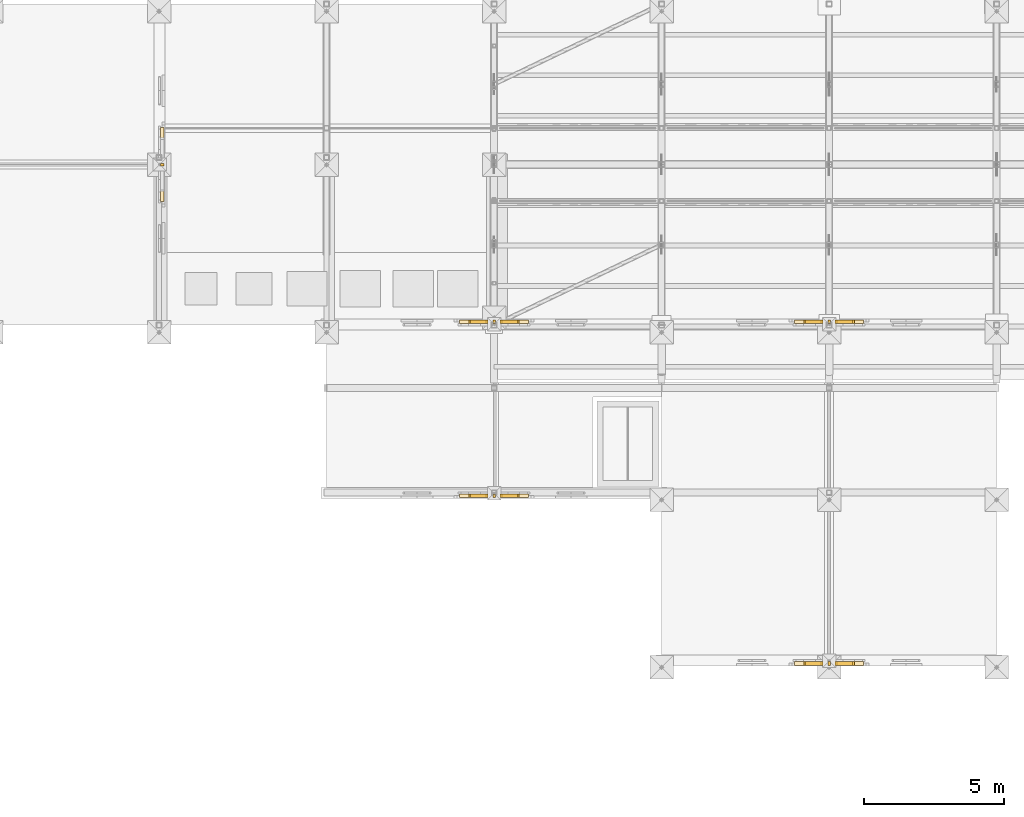
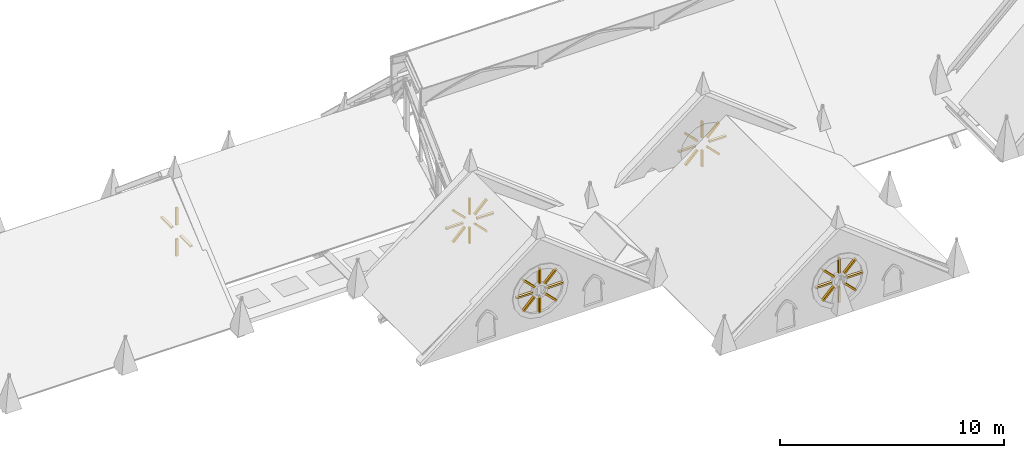
# One storey, part 33 of 33: 36 coverings.
"""IFC4 building model written with IfcOpenShell, lengths in metres."""

import ifcopenshell
import ifcopenshell.guid

model = None  # the IFC model being written
_history = None  # IfcOwnerHistory: only IFC2X3 demands one
_inside = {}  # id of a spatial element -> (the spatial element, [elements in it])
_under = {}  # id of a project, library or spatial element -> (it, [spatial elements below it])
_declared = {}  # id of a project -> (the project, [libraries it declares])
_typed = {}  # id of a type object -> (the type object, [elements of that type])
_made_of = {}  # id of a material, layer set ... -> (it, [elements and type objects made of it])


def new_model(schema):
    """Start an empty IFC model of exactly this schema.

    Asked for "IFC4X3", IfcOpenShell would pick the latest addendum, in which some entities
    have other attributes; the version numbers below select the first issue.
    IFC2X3 requires an IfcOwnerHistory on every rooted entity: one is made here for all.
    """
    global model, _history
    if schema == "IFC4X3":
        model = ifcopenshell.file(schema_version=(4, 3, 0, 0))
    else:
        model = ifcopenshell.file(schema=schema)
    _inside.clear()
    _under.clear()
    _declared.clear()
    _typed.clear()
    _made_of.clear()
    _history = None
    if model.schema == "IFC2X3":
        org = make("IfcOrganization", Name="unknown")
        user = make(
            "IfcPersonAndOrganization",
            ThePerson=make("IfcPerson", FamilyName="unknown"),
            TheOrganization=org,
        )
        app = make(
            "IfcApplication",
            ApplicationDeveloper=org,
            Version="unknown",
            ApplicationFullName="unknown",
            ApplicationIdentifier="unknown",
        )
        _history = make(
            "IfcOwnerHistory",
            OwningUser=user,
            OwningApplication=app,
            ChangeAction="ADDED",
            CreationDate=0,
        )
    return model


def make(cls, **values):
    """One entity of the class cls with the attributes given. An attribute that is None is left unset."""
    return model.create_entity(
        cls, **{name: value for name, value in values.items() if value is not None}
    )


def rooted(cls, **values):
    """An entity with a GlobalId (a new one), such as an element, a storey or a relation."""
    return make(cls, GlobalId=ifcopenshell.guid.new(), OwnerHistory=_history, **values)


def si_unit(unit_type, name, prefix=None):
    """IfcSIUnit, for example si_unit("LENGTHUNIT", "METRE", prefix="MILLI")."""
    return make("IfcSIUnit", UnitType=unit_type, Prefix=prefix, Name=name)


def assignment(units):
    """IfcUnitAssignment: the units of a project."""
    return None if units is None else make("IfcUnitAssignment", Units=units)


def point(xyz):
    """IfcCartesianPoint."""
    return None if xyz is None else make("IfcCartesianPoint", Coordinates=xyz)


def direction(xyz):
    """IfcDirection."""
    return None if xyz is None else make("IfcDirection", DirectionRatios=xyz)


def frame(location, z_axis=None, x_axis=None):
    """IfcAxis2Placement3D, a coordinate frame: its origin and axes. An axis left out is left unset."""
    return make(
        "IfcAxis2Placement3D",
        Location=point(location),
        Axis=direction(z_axis),
        RefDirection=direction(x_axis),
    )


def origin():
    """The frame at (0, 0, 0) with its axes left unset."""
    return frame((0.0, 0.0, 0.0))


def place(relative_to, where):
    """IfcLocalPlacement: puts the frame where relative to a parent placement (None: the world)."""
    return make(
        "IfcLocalPlacement", PlacementRelTo=relative_to, RelativePlacement=where
    )


def context(
    kind, dimensions, precision=None, world=None, true_north=None, identifier=None
):
    """IfcGeometricRepresentationContext, for example the 3D "Model" context."""
    return make(
        "IfcGeometricRepresentationContext",
        ContextIdentifier=identifier,
        ContextType=kind,
        CoordinateSpaceDimension=dimensions,
        Precision=precision,
        WorldCoordinateSystem=world,
        TrueNorth=true_north,
    )


def subcontext(parent, identifier, kind, view, scale=None):
    """IfcGeometricRepresentationSubContext, for example "Body" below "Model"."""
    return make(
        "IfcGeometricRepresentationSubContext",
        ContextIdentifier=identifier,
        ContextType=kind,
        ParentContext=parent,
        TargetScale=scale,
        TargetView=view,
    )


def project(units=None, contexts=None):
    """IfcProject with its units and contexts."""
    return rooted(
        "IfcProject",
        Name="project",
        RepresentationContexts=contexts,
        UnitsInContext=assignment(units),
    )


def spatial(cls, under=None, at=None, **own):
    """A site, building, storey or space (cls), placed at a placement, below another one or the project."""
    s = rooted(cls, ObjectPlacement=at, **own)
    if under is not None:
        _under.setdefault(under.id(), (under, []))[1].append(s)
    return s


def polyline(points):
    """IfcPolyline through the points."""
    return make("IfcPolyline", Points=[point(p) for p in points])


def outline(outer, holes=None, kind="AREA"):
    """IfcArbitraryClosedProfileDef: a profile drawn as a closed curve; with holes, ...WithVoids."""
    if holes is None:
        return make("IfcArbitraryClosedProfileDef", ProfileType=kind, OuterCurve=outer)
    return make(
        "IfcArbitraryProfileDefWithVoids",
        ProfileType=kind,
        OuterCurve=outer,
        InnerCurves=holes,
    )


def extrude(swept, where, along, depth):
    """IfcExtrudedAreaSolid: the profile swept, set in the frame where, extruded along a direction by depth."""
    return make(
        "IfcExtrudedAreaSolid",
        SweptArea=swept,
        Position=where,
        ExtrudedDirection=direction(along),
        Depth=depth,
    )


def shape(context_of_items, identifier, shape_type, items):
    """IfcShapeRepresentation: the items that make up one representation, for example the "Body"."""
    return make(
        "IfcShapeRepresentation",
        ContextOfItems=context_of_items,
        RepresentationIdentifier=identifier,
        RepresentationType=shape_type,
        Items=items,
    )


def material(Name=None, Category=None):
    """IfcMaterial."""
    return make("IfcMaterial", Name=Name, Category=Category)


def made_of(thing, what):
    """Note that an element or type object is made of a material, layer set ...; save() writes the relation."""
    if what is not None:
        _made_of.setdefault(what.id(), (what, []))[1].append(thing)
    return thing


def type_object(cls, material=None, **own):
    """A type object (cls), such as IfcWallType, which elements share."""
    return made_of(rooted(cls, **own), material)


def element(
    cls,
    number,
    at=None,
    inside=None,
    cuts=None,
    type_object=None,
    material=None,
    context=None,
    identifier="Body",
    shape_type=None,
    held_by="IfcProductDefinitionShape",
    body=None,
    shapes=None,
    **own,
):
    """One element of the class cls, such as IfcWall. Its Tag is "e" and its number.

    at: its placement. inside: the storey or other place that contains it. cuts: it is an
    opening in that element (IfcRelVoidsElement). A single representation is given by context,
    identifier, shape_type and body (its items); several are given by shapes. held_by: the class
    of the entity that holds the representations. save() writes the other relations.
    """
    e = rooted(cls, Tag="e%d" % number, ObjectPlacement=at, **own)
    if body is not None:
        shapes = [shape(context, identifier, shape_type, body)]
    if shapes is not None:
        e.Representation = make(held_by, Representations=shapes)
    if inside is not None:
        _inside.setdefault(inside.id(), (inside, []))[1].append(e)
    if cuts is not None:
        rooted(
            "IfcRelVoidsElement", RelatingBuildingElement=cuts, RelatedOpeningElement=e
        )
    if type_object is not None:
        _typed.setdefault(type_object.id(), (type_object, []))[1].append(e)
    return made_of(e, material)


def aggregate(whole, parts):
    """IfcRelAggregates: a whole, such as a stair, and the parts it consists of."""
    return rooted("IfcRelAggregates", RelatingObject=whole, RelatedObjects=parts)


def save(model, path):
    """Write the relations noted so far, then the file.

    IfcRelAggregates (storeys below a building ...), IfcRelContainedInSpatialStructure (elements
    in a storey), IfcRelDefinesByType, IfcRelAssociatesMaterial and IfcRelDeclares: one each for
    every whole, place, type object, material and project.
    """
    for whole, parts in _under.values():
        aggregate(whole, parts)
    for where, things in _inside.values():
        rooted(
            "IfcRelContainedInSpatialStructure",
            RelatedElements=things,
            RelatingStructure=where,
        )
    for kind, things in _typed.values():
        rooted("IfcRelDefinesByType", RelatedObjects=things, RelatingType=kind)
    for what, things in _made_of.values():
        rooted("IfcRelAssociatesMaterial", RelatedObjects=things, RelatingMaterial=what)
    for by, libraries in _declared.values():
        rooted("IfcRelDeclares", RelatingContext=by, RelatedDefinitions=libraries)
    model.write(path)


model = new_model("IFC4")

# Units and contexts
model_context = context("Model", 3, precision=1e-05, world=origin(), true_north=direction((0.0, 1.0)))
body_context = subcontext(model_context, "Body", "Model", "MODEL_VIEW")
ifc_project = project(units=[si_unit("LENGTHUNIT", "METRE"), si_unit("AREAUNIT", "SQUARE_METRE"), si_unit("VOLUMEUNIT", "CUBIC_METRE"), si_unit("PLANEANGLEUNIT", "RADIAN"), si_unit("MASSUNIT", "GRAM", prefix="KILO")], contexts=[model_context])

# Site, building, storey
site_placement = place(None, origin())
site = spatial("IfcSite", under=ifc_project, at=site_placement, CompositionType="ELEMENT")
building_placement = place(site_placement, origin())
building = spatial("IfcBuilding", under=site, at=building_placement, Name="Cumevento Cable Car Station", CompositionType="ELEMENT")
storey_placement = place(building_placement, frame((0.0, 0.0, 22.5)))
storey = spatial("IfcBuildingStorey", under=building, at=storey_placement, Name="RF", CompositionType="ELEMENT", Elevation=22.5)

# Coverings
ifc_material = material(Name="Gnaisse Facoidal Stone Ashlar 85 MPa", Category="masonry")
covering_type = type_object("IfcCoveringType", Name="Gnaisse Ashlar Cladding CV-CL01", PredefinedType="CLADDING", material=ifc_material)
placement_1 = place(storey_placement, frame((70.0, 39.0, 0.0), z_axis=(0.0, 0.0, 1.0), x_axis=(-1.0, 0.0, 0.0)))
element("IfcCovering", 1, at=placement_1, inside=storey, type_object=covering_type, Name="Gothic Rose Stone Tracery Mullion wing_B_V2c_S #1", PredefinedType="CLADDING", context=body_context, shape_type="SweptSolid", body=[
    extrude(outline(polyline([(6.35498046875, 1.943359375), (7.22998046875, 1.943359375), (7.22998046875, 1.853271484375), (6.35498046875, 1.853271484375), (6.35498046875, 1.943359375)])), frame((0.0, 0.18505859375, 0.0), z_axis=(0.0, -1.0, 0.0), x_axis=(1.0, 0.0, 0.0)), (0.0, 0.0, 1.0), 0.1298828125),
])
element("IfcCovering", 2, at=placement_1, inside=storey, type_object=covering_type, Name="Gothic Rose Stone Tracery Mullion wing_B_V2c_S #2", PredefinedType="CLADDING", context=body_context, shape_type="SweptSolid", body=[
    extrude(outline(polyline([(6.21923828125, 2.18115234375), (6.837890625, 2.800048828125), (6.901611328125, 2.736328125), (6.282958984375, 2.117431640625), (6.21923828125, 2.18115234375)])), frame((0.0, 0.18505859375, 0.0), z_axis=(0.0, -1.0, 0.0), x_axis=(1.0, 0.0, 0.0)), (0.0, 0.0, 1.0), 0.1298828125),
])
element("IfcCovering", 3, at=placement_1, inside=storey, type_object=covering_type, Name="Gothic Rose Stone Tracery Mullion wing_B_V2c_S #3", PredefinedType="CLADDING", context=body_context, shape_type="SweptSolid", body=[
    extrude(outline(polyline([(5.955078125, 2.25341796875), (5.955078125, 3.12841796875), (6.044921875, 3.12841796875), (6.044921875, 2.25341796875), (5.955078125, 2.25341796875)])), frame((0.0, 0.18505859375, 0.0), z_axis=(0.0, -1.0, 0.0), x_axis=(1.0, 0.0, 0.0)), (0.0, 0.0, 1.0), 0.1298828125),
])
element("IfcCovering", 4, at=placement_1, inside=storey, type_object=covering_type, Name="Gothic Rose Stone Tracery Mullion wing_B_V2c_S #4", PredefinedType="CLADDING", context=body_context, shape_type="SweptSolid", body=[
    extrude(outline(polyline([(5.717041015625, 2.117431640625), (5.098388671875, 2.736328125), (5.162109375, 2.800048828125), (5.78076171875, 2.18115234375), (5.717041015625, 2.117431640625)])), frame((0.0, 0.18505859375, 0.0), z_axis=(0.0, -1.0, 0.0), x_axis=(1.0, 0.0, 0.0)), (0.0, 0.0, 1.0), 0.1298828125),
])
element("IfcCovering", 5, at=placement_1, inside=storey, type_object=covering_type, Name="Gothic Rose Stone Tracery Mullion wing_B_V2c_S #5", PredefinedType="CLADDING", context=body_context, shape_type="SweptSolid", body=[
    extrude(outline(polyline([(5.64501953125, 1.853271484375), (4.77001953125, 1.853271484375), (4.77001953125, 1.943359375), (5.64501953125, 1.943359375), (5.64501953125, 1.853271484375)])), frame((0.0, 0.18505859375, 0.0), z_axis=(0.0, -1.0, 0.0), x_axis=(1.0, 0.0, 0.0)), (0.0, 0.0, 1.0), 0.1298828125),
])
element("IfcCovering", 6, at=placement_1, inside=storey, type_object=covering_type, Name="Gothic Rose Stone Tracery Mullion wing_B_V2c_S #6", PredefinedType="CLADDING", context=body_context, shape_type="SweptSolid", body=[
    extrude(outline(polyline([(5.78076171875, 1.615478515625), (5.162109375, 0.99658203125), (5.098388671875, 1.060302734375), (5.717041015625, 1.67919921875), (5.78076171875, 1.615478515625)])), frame((0.0, 0.18505859375, 0.0), z_axis=(0.0, -1.0, 0.0), x_axis=(1.0, 0.0, 0.0)), (0.0, 0.0, 1.0), 0.1298828125),
])
element("IfcCovering", 7, at=placement_1, inside=storey, type_object=covering_type, Name="Gothic Rose Stone Tracery Mullion wing_B_V2c_S #7", PredefinedType="CLADDING", context=body_context, shape_type="SweptSolid", body=[
    extrude(outline(polyline([(6.044921875, 1.543212890625), (6.044921875, 0.668212890625), (5.955078125, 0.668212890625), (5.955078125, 1.543212890625), (6.044921875, 1.543212890625)])), frame((0.0, 0.18505859375, 0.0), z_axis=(0.0, -1.0, 0.0), x_axis=(1.0, 0.0, 0.0)), (0.0, 0.0, 1.0), 0.1298828125),
])
element("IfcCovering", 8, at=placement_1, inside=storey, type_object=covering_type, Name="Gothic Rose Stone Tracery Mullion wing_B_V2c_S #8", PredefinedType="CLADDING", context=body_context, shape_type="SweptSolid", body=[
    extrude(outline(polyline([(6.282958984375, 1.67919921875), (6.901611328125, 1.060302734375), (6.837890625, 0.99658203125), (6.21923828125, 1.615478515625), (6.282958984375, 1.67919921875)])), frame((0.0, 0.18505859375, 0.0), z_axis=(0.0, -1.0, 0.0), x_axis=(1.0, 0.0, 0.0)), (0.0, 0.0, 1.0), 0.1298828125),
])
placement_2 = place(storey_placement, frame((58.0, 45.0, 0.0), z_axis=(0.0, 0.0, 1.0), x_axis=(1.0, 0.0, 0.0)))
element("IfcCovering", 9, at=placement_2, inside=storey, type_object=covering_type, Name="Gothic Rose Stone Tracery Mullion wing_B_V2c_N #1", PredefinedType="CLADDING", context=body_context, shape_type="SweptSolid", body=[
    extrude(outline(polyline([(6.35498046875, 1.943359375), (7.22998046875, 1.943359375), (7.22998046875, 1.853271484375), (6.35498046875, 1.853271484375), (6.35498046875, 1.943359375)])), frame((0.0, 0.18505859375, 0.0), z_axis=(0.0, -1.0, 0.0), x_axis=(1.0, 0.0, 0.0)), (0.0, 0.0, 1.0), 0.1298828125),
])
element("IfcCovering", 10, at=placement_2, inside=storey, type_object=covering_type, Name="Gothic Rose Stone Tracery Mullion wing_B_V2c_N #2", PredefinedType="CLADDING", context=body_context, shape_type="SweptSolid", body=[
    extrude(outline(polyline([(6.21923828125, 2.18115234375), (6.837890625, 2.800048828125), (6.901611328125, 2.736328125), (6.282958984375, 2.117431640625), (6.21923828125, 2.18115234375)])), frame((0.0, 0.18505859375, 0.0), z_axis=(0.0, -1.0, 0.0), x_axis=(1.0, 0.0, 0.0)), (0.0, 0.0, 1.0), 0.1298828125),
])
element("IfcCovering", 11, at=placement_2, inside=storey, type_object=covering_type, Name="Gothic Rose Stone Tracery Mullion wing_B_V2c_N #3", PredefinedType="CLADDING", context=body_context, shape_type="SweptSolid", body=[
    extrude(outline(polyline([(5.955078125, 2.25341796875), (5.955078125, 3.12841796875), (6.044921875, 3.12841796875), (6.044921875, 2.25341796875), (5.955078125, 2.25341796875)])), frame((0.0, 0.18505859375, 0.0), z_axis=(0.0, -1.0, 0.0), x_axis=(1.0, 0.0, 0.0)), (0.0, 0.0, 1.0), 0.1298828125),
])
element("IfcCovering", 12, at=placement_2, inside=storey, type_object=covering_type, Name="Gothic Rose Stone Tracery Mullion wing_B_V2c_N #4", PredefinedType="CLADDING", context=body_context, shape_type="SweptSolid", body=[
    extrude(outline(polyline([(5.717041015625, 2.117431640625), (5.098388671875, 2.736328125), (5.162109375, 2.800048828125), (5.78076171875, 2.18115234375), (5.717041015625, 2.117431640625)])), frame((0.0, 0.18505859375, 0.0), z_axis=(0.0, -1.0, 0.0), x_axis=(1.0, 0.0, 0.0)), (0.0, 0.0, 1.0), 0.1298828125),
])
element("IfcCovering", 13, at=placement_2, inside=storey, type_object=covering_type, Name="Gothic Rose Stone Tracery Mullion wing_B_V2c_N #5", PredefinedType="CLADDING", context=body_context, shape_type="SweptSolid", body=[
    extrude(outline(polyline([(5.64501953125, 1.853271484375), (4.77001953125, 1.853271484375), (4.77001953125, 1.943359375), (5.64501953125, 1.943359375), (5.64501953125, 1.853271484375)])), frame((0.0, 0.18505859375, 0.0), z_axis=(0.0, -1.0, 0.0), x_axis=(1.0, 0.0, 0.0)), (0.0, 0.0, 1.0), 0.1298828125),
])
element("IfcCovering", 14, at=placement_2, inside=storey, type_object=covering_type, Name="Gothic Rose Stone Tracery Mullion wing_B_V2c_N #6", PredefinedType="CLADDING", context=body_context, shape_type="SweptSolid", body=[
    extrude(outline(polyline([(5.78076171875, 1.615478515625), (5.162109375, 0.99658203125), (5.098388671875, 1.060302734375), (5.717041015625, 1.67919921875), (5.78076171875, 1.615478515625)])), frame((0.0, 0.18505859375, 0.0), z_axis=(0.0, -1.0, 0.0), x_axis=(1.0, 0.0, 0.0)), (0.0, 0.0, 1.0), 0.1298828125),
])
element("IfcCovering", 15, at=placement_2, inside=storey, type_object=covering_type, Name="Gothic Rose Stone Tracery Mullion wing_B_V2c_N #7", PredefinedType="CLADDING", context=body_context, shape_type="SweptSolid", body=[
    extrude(outline(polyline([(6.044921875, 1.543212890625), (6.044921875, 0.668212890625), (5.955078125, 0.668212890625), (5.955078125, 1.543212890625), (6.044921875, 1.543212890625)])), frame((0.0, 0.18505859375, 0.0), z_axis=(0.0, -1.0, 0.0), x_axis=(1.0, 0.0, 0.0)), (0.0, 0.0, 1.0), 0.1298828125),
])
element("IfcCovering", 16, at=placement_2, inside=storey, type_object=covering_type, Name="Gothic Rose Stone Tracery Mullion wing_B_V2c_N #8", PredefinedType="CLADDING", context=body_context, shape_type="SweptSolid", body=[
    extrude(outline(polyline([(6.282958984375, 1.67919921875), (6.901611328125, 1.060302734375), (6.837890625, 0.99658203125), (6.21923828125, 1.615478515625), (6.282958984375, 1.67919921875)])), frame((0.0, 0.18505859375, 0.0), z_axis=(0.0, -1.0, 0.0), x_axis=(1.0, 0.0, 0.0)), (0.0, 0.0, 1.0), 0.1298828125),
])
placement_3 = place(storey_placement, frame((82.0, 33.0, 0.0), z_axis=(0.0, 0.0, 1.0), x_axis=(-1.0, 0.0, 0.0)))
element("IfcCovering", 17, at=placement_3, inside=storey, type_object=covering_type, Name="Gothic Rose Stone Tracery Mullion wing_B_V2d_S #1", PredefinedType="CLADDING", context=body_context, shape_type="SweptSolid", body=[
    extrude(outline(polyline([(6.35498046875, 1.943359375), (7.22998046875, 1.943359375), (7.22998046875, 1.853271484375), (6.35498046875, 1.853271484375), (6.35498046875, 1.943359375)])), frame((0.0, 0.18505859375, 0.0), z_axis=(0.0, -1.0, 0.0), x_axis=(1.0, 0.0, 0.0)), (0.0, 0.0, 1.0), 0.1298828125),
])
element("IfcCovering", 18, at=placement_3, inside=storey, type_object=covering_type, Name="Gothic Rose Stone Tracery Mullion wing_B_V2d_S #2", PredefinedType="CLADDING", context=body_context, shape_type="SweptSolid", body=[
    extrude(outline(polyline([(6.21923828125, 2.18115234375), (6.837890625, 2.800048828125), (6.901611328125, 2.736328125), (6.282958984375, 2.117431640625), (6.21923828125, 2.18115234375)])), frame((0.0, 0.18505859375, 0.0), z_axis=(0.0, -1.0, 0.0), x_axis=(1.0, 0.0, 0.0)), (0.0, 0.0, 1.0), 0.1298828125),
])
element("IfcCovering", 19, at=placement_3, inside=storey, type_object=covering_type, Name="Gothic Rose Stone Tracery Mullion wing_B_V2d_S #3", PredefinedType="CLADDING", context=body_context, shape_type="SweptSolid", body=[
    extrude(outline(polyline([(5.955078125, 2.25341796875), (5.955078125, 3.12841796875), (6.044921875, 3.12841796875), (6.044921875, 2.25341796875), (5.955078125, 2.25341796875)])), frame((0.0, 0.18505859375, 0.0), z_axis=(0.0, -1.0, 0.0), x_axis=(1.0, 0.0, 0.0)), (0.0, 0.0, 1.0), 0.1298828125),
])
element("IfcCovering", 20, at=placement_3, inside=storey, type_object=covering_type, Name="Gothic Rose Stone Tracery Mullion wing_B_V2d_S #4", PredefinedType="CLADDING", context=body_context, shape_type="SweptSolid", body=[
    extrude(outline(polyline([(5.717041015625, 2.117431640625), (5.098388671875, 2.736328125), (5.162109375, 2.800048828125), (5.78076171875, 2.18115234375), (5.717041015625, 2.117431640625)])), frame((0.0, 0.18505859375, 0.0), z_axis=(0.0, -1.0, 0.0), x_axis=(1.0, 0.0, 0.0)), (0.0, 0.0, 1.0), 0.1298828125),
])
element("IfcCovering", 21, at=placement_3, inside=storey, type_object=covering_type, Name="Gothic Rose Stone Tracery Mullion wing_B_V2d_S #5", PredefinedType="CLADDING", context=body_context, shape_type="SweptSolid", body=[
    extrude(outline(polyline([(5.64501953125, 1.853271484375), (4.77001953125, 1.853271484375), (4.77001953125, 1.943359375), (5.64501953125, 1.943359375), (5.64501953125, 1.853271484375)])), frame((0.0, 0.18505859375, 0.0), z_axis=(0.0, -1.0, 0.0), x_axis=(1.0, 0.0, 0.0)), (0.0, 0.0, 1.0), 0.1298828125),
])
element("IfcCovering", 22, at=placement_3, inside=storey, type_object=covering_type, Name="Gothic Rose Stone Tracery Mullion wing_B_V2d_S #6", PredefinedType="CLADDING", context=body_context, shape_type="SweptSolid", body=[
    extrude(outline(polyline([(5.78076171875, 1.615478515625), (5.162109375, 0.99658203125), (5.098388671875, 1.060302734375), (5.717041015625, 1.67919921875), (5.78076171875, 1.615478515625)])), frame((0.0, 0.18505859375, 0.0), z_axis=(0.0, -1.0, 0.0), x_axis=(1.0, 0.0, 0.0)), (0.0, 0.0, 1.0), 0.1298828125),
])
element("IfcCovering", 23, at=placement_3, inside=storey, type_object=covering_type, Name="Gothic Rose Stone Tracery Mullion wing_B_V2d_S #7", PredefinedType="CLADDING", context=body_context, shape_type="SweptSolid", body=[
    extrude(outline(polyline([(6.044921875, 1.543212890625), (6.044921875, 0.668212890625), (5.955078125, 0.668212890625), (5.955078125, 1.543212890625), (6.044921875, 1.543212890625)])), frame((0.0, 0.18505859375, 0.0), z_axis=(0.0, -1.0, 0.0), x_axis=(1.0, 0.0, 0.0)), (0.0, 0.0, 1.0), 0.1298828125),
])
element("IfcCovering", 24, at=placement_3, inside=storey, type_object=covering_type, Name="Gothic Rose Stone Tracery Mullion wing_B_V2d_S #8", PredefinedType="CLADDING", context=body_context, shape_type="SweptSolid", body=[
    extrude(outline(polyline([(6.282958984375, 1.67919921875), (6.901611328125, 1.060302734375), (6.837890625, 0.99658203125), (6.21923828125, 1.615478515625), (6.282958984375, 1.67919921875)])), frame((0.0, 0.18505859375, 0.0), z_axis=(0.0, -1.0, 0.0), x_axis=(1.0, 0.0, 0.0)), (0.0, 0.0, 1.0), 0.1298828125),
])
placement_4 = place(storey_placement, frame((70.0, 45.0, 0.0), z_axis=(0.0, 0.0, 1.0), x_axis=(1.0, 0.0, 0.0)))
element("IfcCovering", 25, at=placement_4, inside=storey, type_object=covering_type, Name="Gothic Rose Stone Tracery Mullion wing_B_V2d_N #1", PredefinedType="CLADDING", context=body_context, shape_type="SweptSolid", body=[
    extrude(outline(polyline([(6.35498046875, 1.943359375), (7.22998046875, 1.943359375), (7.22998046875, 1.853271484375), (6.35498046875, 1.853271484375), (6.35498046875, 1.943359375)])), frame((0.0, 0.18505859375, 0.0), z_axis=(0.0, -1.0, 0.0), x_axis=(1.0, 0.0, 0.0)), (0.0, 0.0, 1.0), 0.1298828125),
])
element("IfcCovering", 26, at=placement_4, inside=storey, type_object=covering_type, Name="Gothic Rose Stone Tracery Mullion wing_B_V2d_N #2", PredefinedType="CLADDING", context=body_context, shape_type="SweptSolid", body=[
    extrude(outline(polyline([(6.21923828125, 2.18115234375), (6.837890625, 2.800048828125), (6.901611328125, 2.736328125), (6.282958984375, 2.117431640625), (6.21923828125, 2.18115234375)])), frame((0.0, 0.18505859375, 0.0), z_axis=(0.0, -1.0, 0.0), x_axis=(1.0, 0.0, 0.0)), (0.0, 0.0, 1.0), 0.1298828125),
])
element("IfcCovering", 27, at=placement_4, inside=storey, type_object=covering_type, Name="Gothic Rose Stone Tracery Mullion wing_B_V2d_N #3", PredefinedType="CLADDING", context=body_context, shape_type="SweptSolid", body=[
    extrude(outline(polyline([(5.955078125, 2.25341796875), (5.955078125, 3.12841796875), (6.044921875, 3.12841796875), (6.044921875, 2.25341796875), (5.955078125, 2.25341796875)])), frame((0.0, 0.18505859375, 0.0), z_axis=(0.0, -1.0, 0.0), x_axis=(1.0, 0.0, 0.0)), (0.0, 0.0, 1.0), 0.1298828125),
])
element("IfcCovering", 28, at=placement_4, inside=storey, type_object=covering_type, Name="Gothic Rose Stone Tracery Mullion wing_B_V2d_N #4", PredefinedType="CLADDING", context=body_context, shape_type="SweptSolid", body=[
    extrude(outline(polyline([(5.717041015625, 2.117431640625), (5.098388671875, 2.736328125), (5.162109375, 2.800048828125), (5.78076171875, 2.18115234375), (5.717041015625, 2.117431640625)])), frame((0.0, 0.18505859375, 0.0), z_axis=(0.0, -1.0, 0.0), x_axis=(1.0, 0.0, 0.0)), (0.0, 0.0, 1.0), 0.1298828125),
])
element("IfcCovering", 29, at=placement_4, inside=storey, type_object=covering_type, Name="Gothic Rose Stone Tracery Mullion wing_B_V2d_N #5", PredefinedType="CLADDING", context=body_context, shape_type="SweptSolid", body=[
    extrude(outline(polyline([(5.64501953125, 1.853271484375), (4.77001953125, 1.853271484375), (4.77001953125, 1.943359375), (5.64501953125, 1.943359375), (5.64501953125, 1.853271484375)])), frame((0.0, 0.18505859375, 0.0), z_axis=(0.0, -1.0, 0.0), x_axis=(1.0, 0.0, 0.0)), (0.0, 0.0, 1.0), 0.1298828125),
])
element("IfcCovering", 30, at=placement_4, inside=storey, type_object=covering_type, Name="Gothic Rose Stone Tracery Mullion wing_B_V2d_N #6", PredefinedType="CLADDING", context=body_context, shape_type="SweptSolid", body=[
    extrude(outline(polyline([(5.78076171875, 1.615478515625), (5.162109375, 0.99658203125), (5.098388671875, 1.060302734375), (5.717041015625, 1.67919921875), (5.78076171875, 1.615478515625)])), frame((0.0, 0.18505859375, 0.0), z_axis=(0.0, -1.0, 0.0), x_axis=(1.0, 0.0, 0.0)), (0.0, 0.0, 1.0), 0.1298828125),
])
element("IfcCovering", 31, at=placement_4, inside=storey, type_object=covering_type, Name="Gothic Rose Stone Tracery Mullion wing_B_V2d_N #7", PredefinedType="CLADDING", context=body_context, shape_type="SweptSolid", body=[
    extrude(outline(polyline([(6.044921875, 1.543212890625), (6.044921875, 0.668212890625), (5.955078125, 0.668212890625), (5.955078125, 1.543212890625), (6.044921875, 1.543212890625)])), frame((0.0, 0.18505859375, 0.0), z_axis=(0.0, -1.0, 0.0), x_axis=(1.0, 0.0, 0.0)), (0.0, 0.0, 1.0), 0.1298828125),
])
element("IfcCovering", 32, at=placement_4, inside=storey, type_object=covering_type, Name="Gothic Rose Stone Tracery Mullion wing_B_V2d_N #8", PredefinedType="CLADDING", context=body_context, shape_type="SweptSolid", body=[
    extrude(outline(polyline([(6.282958984375, 1.67919921875), (6.901611328125, 1.060302734375), (6.837890625, 0.99658203125), (6.21923828125, 1.615478515625), (6.282958984375, 1.67919921875)])), frame((0.0, 0.18505859375, 0.0), z_axis=(0.0, -1.0, 0.0), x_axis=(1.0, 0.0, 0.0)), (0.0, 0.0, 1.0), 0.1298828125),
])
placement_5 = place(storey_placement, frame((52.0, 56.5, 0.0), z_axis=(0.0, 0.0, 1.0), x_axis=(0.0, -1.0, 0.0)))
element("IfcCovering", 33, at=placement_5, inside=storey, type_object=covering_type, Name="Gothic Rose Stone Tracery Mullion wing_B_V6c_E #1", PredefinedType="CLADDING", context=body_context, shape_type="SweptSolid", body=[
    extrude(outline(polyline([(6.129638671875, 2.0869140625), (7.07470703125, 2.0869140625), (7.07470703125, 1.996826171875), (6.129638671875, 1.996826171875), (6.129638671875, 2.0869140625)])), frame((0.0, 0.18505859375, 0.0), z_axis=(0.0, -1.0, 0.0), x_axis=(1.0, 0.0, 0.0)), (0.0, 0.0, 1.0), 0.1298828125),
])
element("IfcCovering", 34, at=placement_5, inside=storey, type_object=covering_type, Name="Gothic Rose Stone Tracery Mullion wing_B_V6c_E #3", PredefinedType="CLADDING", context=body_context, shape_type="SweptSolid", body=[
    extrude(outline(polyline([(5.705078125, 2.42138671875), (5.705078125, 3.366455078125), (5.794921875, 3.366455078125), (5.794921875, 2.42138671875), (5.705078125, 2.42138671875)])), frame((0.0, 0.18505859375, 0.0), z_axis=(0.0, -1.0, 0.0), x_axis=(1.0, 0.0, 0.0)), (0.0, 0.0, 1.0), 0.1298828125),
])
element("IfcCovering", 35, at=placement_5, inside=storey, type_object=covering_type, Name="Gothic Rose Stone Tracery Mullion wing_B_V6c_E #5", PredefinedType="CLADDING", context=body_context, shape_type="SweptSolid", body=[
    extrude(outline(polyline([(5.370361328125, 1.996826171875), (4.42529296875, 1.996826171875), (4.42529296875, 2.0869140625), (5.370361328125, 2.0869140625), (5.370361328125, 1.996826171875)])), frame((0.0, 0.18505859375, 0.0), z_axis=(0.0, -1.0, 0.0), x_axis=(1.0, 0.0, 0.0)), (0.0, 0.0, 1.0), 0.1298828125),
])
element("IfcCovering", 36, at=placement_5, inside=storey, type_object=covering_type, Name="Gothic Rose Stone Tracery Mullion wing_B_V6c_E #7", PredefinedType="CLADDING", context=body_context, shape_type="SweptSolid", body=[
    extrude(outline(polyline([(5.794921875, 1.662109375), (5.794921875, 0.71728515625), (5.705078125, 0.71728515625), (5.705078125, 1.662109375), (5.794921875, 1.662109375)])), frame((0.0, 0.18505859375, 0.0), z_axis=(0.0, -1.0, 0.0), x_axis=(1.0, 0.0, 0.0)), (0.0, 0.0, 1.0), 0.1298828125),
])

save(model, "model.ifc")
